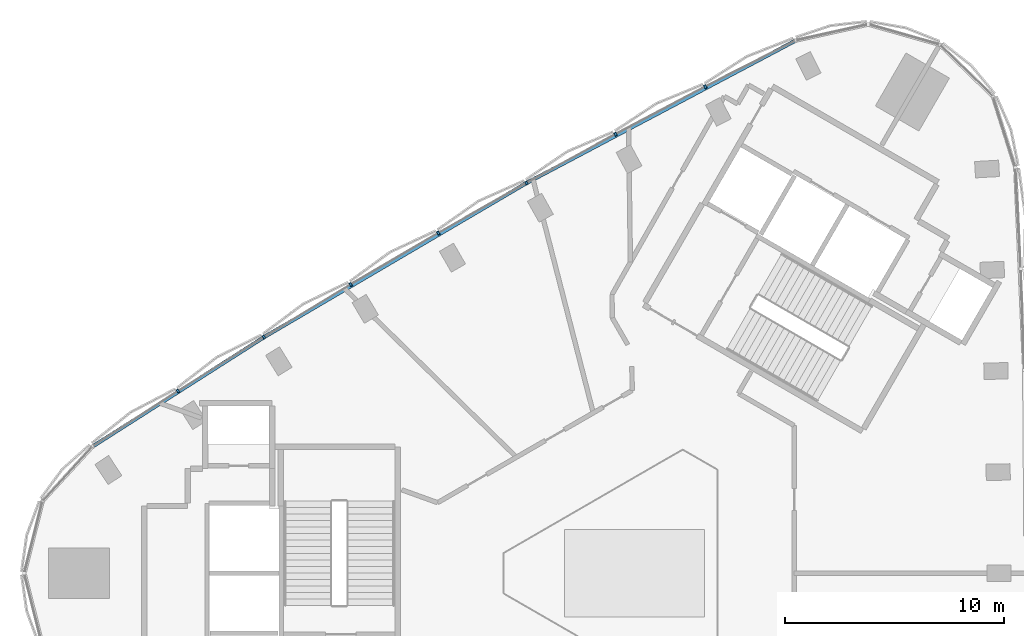
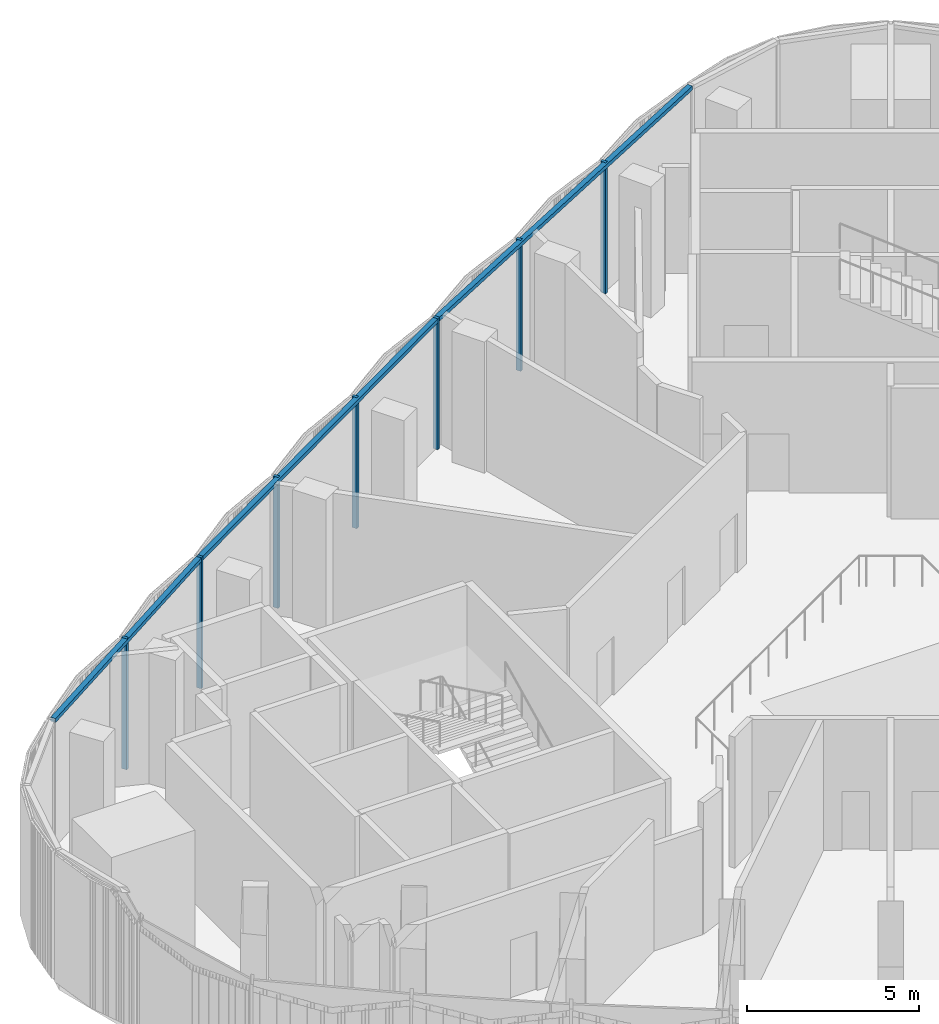
# One storey, part 4 of 15: 10 members, 1 element without a shape of its own.
"""IFC4 building model written with IfcOpenShell, lengths in metres."""

import ifcopenshell
import ifcopenshell.guid

model = None  # the IFC model being written
_history = None  # IfcOwnerHistory: only IFC2X3 demands one
_inside = {}  # id of a spatial element -> (the spatial element, [elements in it])
_under = {}  # id of a project, library or spatial element -> (it, [spatial elements below it])
_declared = {}  # id of a project -> (the project, [libraries it declares])
_typed = {}  # id of a type object -> (the type object, [elements of that type])
_made_of = {}  # id of a material, layer set ... -> (it, [elements and type objects made of it])


def new_model(schema):
    """Start an empty IFC model of exactly this schema.

    Asked for "IFC4X3", IfcOpenShell would pick the latest addendum, in which some entities
    have other attributes; the version numbers below select the first issue.
    IFC2X3 requires an IfcOwnerHistory on every rooted entity: one is made here for all.
    """
    global model, _history
    if schema == "IFC4X3":
        model = ifcopenshell.file(schema_version=(4, 3, 0, 0))
    else:
        model = ifcopenshell.file(schema=schema)
    _inside.clear()
    _under.clear()
    _declared.clear()
    _typed.clear()
    _made_of.clear()
    _history = None
    if model.schema == "IFC2X3":
        org = make("IfcOrganization", Name="unknown")
        user = make(
            "IfcPersonAndOrganization",
            ThePerson=make("IfcPerson", FamilyName="unknown"),
            TheOrganization=org,
        )
        app = make(
            "IfcApplication",
            ApplicationDeveloper=org,
            Version="unknown",
            ApplicationFullName="unknown",
            ApplicationIdentifier="unknown",
        )
        _history = make(
            "IfcOwnerHistory",
            OwningUser=user,
            OwningApplication=app,
            ChangeAction="ADDED",
            CreationDate=0,
        )
    return model


def make(cls, **values):
    """One entity of the class cls with the attributes given. An attribute that is None is left unset."""
    return model.create_entity(
        cls, **{name: value for name, value in values.items() if value is not None}
    )


def rooted(cls, **values):
    """An entity with a GlobalId (a new one), such as an element, a storey or a relation."""
    return make(cls, GlobalId=ifcopenshell.guid.new(), OwnerHistory=_history, **values)


def si_unit(unit_type, name, prefix=None):
    """IfcSIUnit, for example si_unit("LENGTHUNIT", "METRE", prefix="MILLI")."""
    return make("IfcSIUnit", UnitType=unit_type, Prefix=prefix, Name=name)


def assignment(units):
    """IfcUnitAssignment: the units of a project."""
    return None if units is None else make("IfcUnitAssignment", Units=units)


def point(xyz):
    """IfcCartesianPoint."""
    return None if xyz is None else make("IfcCartesianPoint", Coordinates=xyz)


def direction(xyz):
    """IfcDirection."""
    return None if xyz is None else make("IfcDirection", DirectionRatios=xyz)


def frame(location, z_axis=None, x_axis=None):
    """IfcAxis2Placement3D, a coordinate frame: its origin and axes. An axis left out is left unset."""
    return make(
        "IfcAxis2Placement3D",
        Location=point(location),
        Axis=direction(z_axis),
        RefDirection=direction(x_axis),
    )


def frame_2d(location, x_axis=None):
    """IfcAxis2Placement2D, a coordinate frame in the plane: its origin and x axis."""
    return make(
        "IfcAxis2Placement2D", Location=point(location), RefDirection=direction(x_axis)
    )


def origin():
    """The frame at (0, 0, 0) with its axes left unset."""
    return frame((0.0, 0.0, 0.0))


def origin_2d():
    """The frame at (0, 0) in the plane with its x axis left unset."""
    return frame_2d((0.0, 0.0))


def place(relative_to, where):
    """IfcLocalPlacement: puts the frame where relative to a parent placement (None: the world)."""
    return make(
        "IfcLocalPlacement", PlacementRelTo=relative_to, RelativePlacement=where
    )


def context(
    kind, dimensions, precision=None, world=None, true_north=None, identifier=None
):
    """IfcGeometricRepresentationContext, for example the 3D "Model" context."""
    return make(
        "IfcGeometricRepresentationContext",
        ContextIdentifier=identifier,
        ContextType=kind,
        CoordinateSpaceDimension=dimensions,
        Precision=precision,
        WorldCoordinateSystem=world,
        TrueNorth=true_north,
    )


def subcontext(parent, identifier, kind, view, scale=None):
    """IfcGeometricRepresentationSubContext, for example "Body" below "Model"."""
    return make(
        "IfcGeometricRepresentationSubContext",
        ContextIdentifier=identifier,
        ContextType=kind,
        ParentContext=parent,
        TargetScale=scale,
        TargetView=view,
    )


def project(units=None, contexts=None):
    """IfcProject with its units and contexts."""
    return rooted(
        "IfcProject",
        Name="project",
        RepresentationContexts=contexts,
        UnitsInContext=assignment(units),
    )


def spatial(cls, under=None, at=None, **own):
    """A site, building, storey or space (cls), placed at a placement, below another one or the project."""
    s = rooted(cls, ObjectPlacement=at, **own)
    if under is not None:
        _under.setdefault(under.id(), (under, []))[1].append(s)
    return s


def profile(cls, at=None, kind="AREA", **sizes):
    """A parametric profile (cls). Its sizes go by their IFC names, for example OverallWidth=200.0."""
    return make(cls, ProfileType=kind, Position=at, **sizes)


def rectangle(**sizes):
    """IfcRectangleProfileDef."""
    return profile("IfcRectangleProfileDef", **sizes)


def extrude(swept, where, along, depth):
    """IfcExtrudedAreaSolid: the profile swept, set in the frame where, extruded along a direction by depth."""
    return make(
        "IfcExtrudedAreaSolid",
        SweptArea=swept,
        Position=where,
        ExtrudedDirection=direction(along),
        Depth=depth,
    )


def shape(context_of_items, identifier, shape_type, items):
    """IfcShapeRepresentation: the items that make up one representation, for example the "Body"."""
    return make(
        "IfcShapeRepresentation",
        ContextOfItems=context_of_items,
        RepresentationIdentifier=identifier,
        RepresentationType=shape_type,
        Items=items,
    )


def material(Name=None, Category=None):
    """IfcMaterial."""
    return make("IfcMaterial", Name=Name, Category=Category)


def material_profile(
    of_material, cross_section, Name=None, Category=None, Priority=None
):
    """IfcMaterialProfile: a cross section and its material."""
    return make(
        "IfcMaterialProfile",
        Name=Name,
        Material=of_material,
        Profile=cross_section,
        Priority=Priority,
        Category=Category,
    )


def profile_set(profiles, Name=None, composite=None):
    """IfcMaterialProfileSet."""
    return make(
        "IfcMaterialProfileSet",
        Name=Name,
        MaterialProfiles=profiles,
        CompositeProfile=composite,
    )


def made_of(thing, what):
    """Note that an element or type object is made of a material, layer set ...; save() writes the relation."""
    if what is not None:
        _made_of.setdefault(what.id(), (what, []))[1].append(thing)
    return thing


def type_object(cls, material=None, **own):
    """A type object (cls), such as IfcWallType, which elements share."""
    return made_of(rooted(cls, **own), material)


def element(
    cls,
    number,
    at=None,
    inside=None,
    cuts=None,
    type_object=None,
    material=None,
    context=None,
    identifier="Body",
    shape_type=None,
    held_by="IfcProductDefinitionShape",
    body=None,
    shapes=None,
    **own,
):
    """One element of the class cls, such as IfcWall. Its Tag is "e" and its number.

    at: its placement. inside: the storey or other place that contains it. cuts: it is an
    opening in that element (IfcRelVoidsElement). A single representation is given by context,
    identifier, shape_type and body (its items); several are given by shapes. held_by: the class
    of the entity that holds the representations. save() writes the other relations.
    """
    e = rooted(cls, Tag="e%d" % number, ObjectPlacement=at, **own)
    if body is not None:
        shapes = [shape(context, identifier, shape_type, body)]
    if shapes is not None:
        e.Representation = make(held_by, Representations=shapes)
    if inside is not None:
        _inside.setdefault(inside.id(), (inside, []))[1].append(e)
    if cuts is not None:
        rooted(
            "IfcRelVoidsElement", RelatingBuildingElement=cuts, RelatedOpeningElement=e
        )
    if type_object is not None:
        _typed.setdefault(type_object.id(), (type_object, []))[1].append(e)
    return made_of(e, material)


def aggregate(whole, parts):
    """IfcRelAggregates: a whole, such as a stair, and the parts it consists of."""
    return rooted("IfcRelAggregates", RelatingObject=whole, RelatedObjects=parts)


def save(model, path):
    """Write the relations noted so far, then the file.

    IfcRelAggregates (storeys below a building ...), IfcRelContainedInSpatialStructure (elements
    in a storey), IfcRelDefinesByType, IfcRelAssociatesMaterial and IfcRelDeclares: one each for
    every whole, place, type object, material and project.
    """
    for whole, parts in _under.values():
        aggregate(whole, parts)
    for where, things in _inside.values():
        rooted(
            "IfcRelContainedInSpatialStructure",
            RelatedElements=things,
            RelatingStructure=where,
        )
    for kind, things in _typed.values():
        rooted("IfcRelDefinesByType", RelatedObjects=things, RelatingType=kind)
    for what, things in _made_of.values():
        rooted("IfcRelAssociatesMaterial", RelatedObjects=things, RelatingMaterial=what)
    for by, libraries in _declared.values():
        rooted("IfcRelDeclares", RelatingContext=by, RelatedDefinitions=libraries)
    model.write(path)


model = new_model("IFC4")

# Units and contexts
model_context = context("Model", 3, precision=1e-05, world=origin(), true_north=direction((0.0, 1.0)))
body_context = subcontext(model_context, "Body", "Model", "MODEL_VIEW")
ifc_project = project(units=[si_unit("LENGTHUNIT", "METRE"), si_unit("AREAUNIT", "SQUARE_METRE"), si_unit("VOLUMEUNIT", "CUBIC_METRE"), si_unit("PLANEANGLEUNIT", "RADIAN"), si_unit("MASSUNIT", "GRAM", prefix="KILO")], contexts=[model_context])

# Site, building, storey
site_placement = place(None, origin())
site = spatial("IfcSite", under=ifc_project, at=site_placement, CompositionType="ELEMENT")
building_placement = place(site_placement, origin())
building = spatial("IfcBuilding", under=site, at=building_placement, Name="Tamra Quay Hotel Tower", CompositionType="ELEMENT")
storey_placement = place(building_placement, frame((0.0, 0.0, 216.39990234375)))
storey = spatial("IfcBuildingStorey", under=building, at=storey_placement, Name="L54", CompositionType="ELEMENT", Elevation=216.39990234375)

# Curtain wall, members
ifc_material = material(Name="Aluminium 6063 anodised dark grey", Category="aluminium")
curtain_wall_type = type_object("IfcCurtainWallType", Name="CW2 CURTAIN WALL", PredefinedType="NOTDEFINED", material=ifc_material)
curtain_wall_placement = place(storey_placement, origin())
curtain_wall = element("IfcCurtainWall", 1, at=curtain_wall_placement, inside=storey, type_object=curtain_wall_type, Name="CW2 north-west face L54", PredefinedType="NOTDEFINED")
ifc_material_profile_1 = material_profile(ifc_material, rectangle(XDim=0.169921875, YDim=0.10009765625, at=origin_2d()), Name="MULLION 100X170")
ifc_profile_set_1 = profile_set([ifc_material_profile_1], Name="Aluminium 6063 anodised dark grey")
member_type_1 = type_object("IfcMemberType", Name="MULLION CW2 Z5", PredefinedType="MULLION", material=ifc_profile_set_1)
member_1_placement = place(storey_placement, frame((3.231689453125, 22.26025390625, 0.0), z_axis=(0.0, 0.0, 1.0), x_axis=(-0.461343687559, 0.887221506699, 0.0)))
member_1 = element("IfcMember", 2, at=member_1_placement, type_object=member_type_1, Name="CW2 mullion L54.NW.2", PredefinedType="MULLION", context=body_context, shape_type="SweptSolid", body=[
    extrude(rectangle(XDim=0.169921875, YDim=0.10009765625, at=origin_2d()), origin(), (0.0, 0.0, 1.0), 4.650146484375),
])
member_2_placement = place(storey_placement, frame((-0.873291015625, 20.087158203125, 0.0), z_axis=(0.0, 0.0, 1.0), x_axis=(-0.474318574975, 0.880353275358, 0.0)))
member_2 = element("IfcMember", 3, at=member_2_placement, type_object=member_type_1, Name="CW2 mullion L54.NW.3", PredefinedType="MULLION", context=body_context, shape_type="SweptSolid", body=[
    extrude(rectangle(XDim=0.169921875, YDim=0.10009765625, at=origin_2d()), origin(), (0.0, 0.0, 1.0), 4.650146484375),
])
member_3_placement = place(storey_placement, frame((-4.9453125, 17.8544921875, 0.0), z_axis=(0.0, 0.0, 1.0), x_axis=(-0.4872042891, 0.873288028478, 0.0)))
member_3 = element("IfcMember", 4, at=member_3_placement, type_object=member_type_1, Name="CW2 mullion L54.NW.4", PredefinedType="MULLION", context=body_context, shape_type="SweptSolid", body=[
    extrude(rectangle(XDim=0.169921875, YDim=0.10009765625, at=origin_2d()), origin(), (0.0, 0.0, 1.0), 4.650146484375),
])
member_4_placement = place(storey_placement, frame((-8.984619140625, 15.56201171875, 0.0), z_axis=(0.0, 0.0, 1.0), x_axis=(-0.5, 0.866025403784, 0.0)))
member_4 = element("IfcMember", 5, at=member_4_placement, type_object=member_type_1, Name="CW2 mullion L54.NW.5", PredefinedType="MULLION", context=body_context, shape_type="SweptSolid", body=[
    extrude(rectangle(XDim=0.169921875, YDim=0.10009765625, at=origin_2d()), origin(), (0.0, 0.0, 1.0), 4.650146484375),
])
member_5_placement = place(storey_placement, frame((-12.98974609375, 13.2099609375, 0.0), z_axis=(0.0, 0.0, 1.0), x_axis=(-0.512687472932, 0.858575305432, 0.0)))
member_5 = element("IfcMember", 6, at=member_5_placement, type_object=member_type_1, Name="CW2 mullion L54.NW.6", PredefinedType="MULLION", context=body_context, shape_type="SweptSolid", body=[
    extrude(rectangle(XDim=0.169921875, YDim=0.10009765625, at=origin_2d()), origin(), (0.0, 0.0, 1.0), 4.650146484375),
])
member_6_placement = place(storey_placement, frame((-16.95947265625, 10.7998046875, 0.0), z_axis=(0.0, 0.0, 1.0), x_axis=(-0.525249013277, 0.850948573094, 0.0)))
member_6 = element("IfcMember", 7, at=member_6_placement, type_object=member_type_1, Name="CW2 mullion L54.NW.7", PredefinedType="MULLION", context=body_context, shape_type="SweptSolid", body=[
    extrude(rectangle(XDim=0.169921875, YDim=0.10009765625, at=origin_2d()), origin(), (0.0, 0.0, 1.0), 4.650146484375),
])
member_7_placement = place(storey_placement, frame((-20.893798828125, 8.331298828125, 0.0), z_axis=(0.0, 0.0, 1.0), x_axis=(-0.537684519806, 0.843146106651, 0.0)))
member_7 = element("IfcMember", 8, at=member_7_placement, type_object=member_type_1, Name="CW2 mullion L54.NW.8", PredefinedType="MULLION", context=body_context, shape_type="SweptSolid", body=[
    extrude(rectangle(XDim=0.169921875, YDim=0.10009765625, at=origin_2d()), origin(), (0.0, 0.0, 1.0), 4.650146484375),
])
ifc_material_profile_2 = material_profile(ifc_material, rectangle(XDim=0.169921875, YDim=0.139892578125, at=origin_2d()), Name="TRANSOM 170X140")
ifc_profile_set_2 = profile_set([ifc_material_profile_2], Name="Aluminium 6063 anodised dark grey")
member_type_2 = type_object("IfcMemberType", Name="TRANSOM CW2 Z5", PredefinedType="USERDEFINED", material=ifc_profile_set_2)
member_8_placement = place(storey_placement, frame((7.3232421875, 24.349853515625, 4.580078125), z_axis=(-0.883811528676, -0.467843116631, 0.0), x_axis=(0.467843116631, -0.883811528676, 0.0)))
member_8 = element("IfcMember", 9, at=member_8_placement, type_object=member_type_2, Name="CW2 transom L54.NW.1", ObjectType="TRANSOM", PredefinedType="USERDEFINED", context=body_context, shape_type="SweptSolid", body=[
    extrude(rectangle(XDim=0.169921875, YDim=0.139892578125, at=origin_2d()), origin(), (0.0, 0.0, 1.0), 13.83203125),
])
member_9_placement = place(storey_placement, frame((-4.98876953125, 17.829833984375, 4.580078125), z_axis=(-0.86233051141, -0.506345819664, 0.0), x_axis=(0.506345819664, -0.86233051141, 0.0)))
member_9 = element("IfcMember", 10, at=member_9_placement, type_object=member_type_2, Name="CW2 transom L54.NW.4", ObjectType="TRANSOM", PredefinedType="USERDEFINED", context=body_context, shape_type="SweptSolid", body=[
    extrude(rectangle(XDim=0.169921875, YDim=0.139892578125, at=origin_2d()), origin(), (0.0, 0.0, 1.0), 13.832275390625),
])
member_10_placement = place(storey_placement, frame((-17.001708984375, 10.7734375, 4.580078125), z_axis=(-0.843140322222, -0.537693590294, 0.0), x_axis=(0.537693590294, -0.843140322222, 0.0)))
member_10 = element("IfcMember", 11, at=member_10_placement, type_object=member_type_2, Name="CW2 transom L54.NW.7", ObjectType="TRANSOM", PredefinedType="USERDEFINED", context=body_context, shape_type="SweptSolid", body=[
    extrude(rectangle(XDim=0.169921875, YDim=0.139892578125, at=origin_2d()), origin(), (0.0, 0.0, 1.0), 9.188720703125),
])
aggregate(curtain_wall, [member_8, member_1, member_2, member_3, member_9, member_4, member_5, member_6, member_10, member_7])

save(model, "model.ifc")
